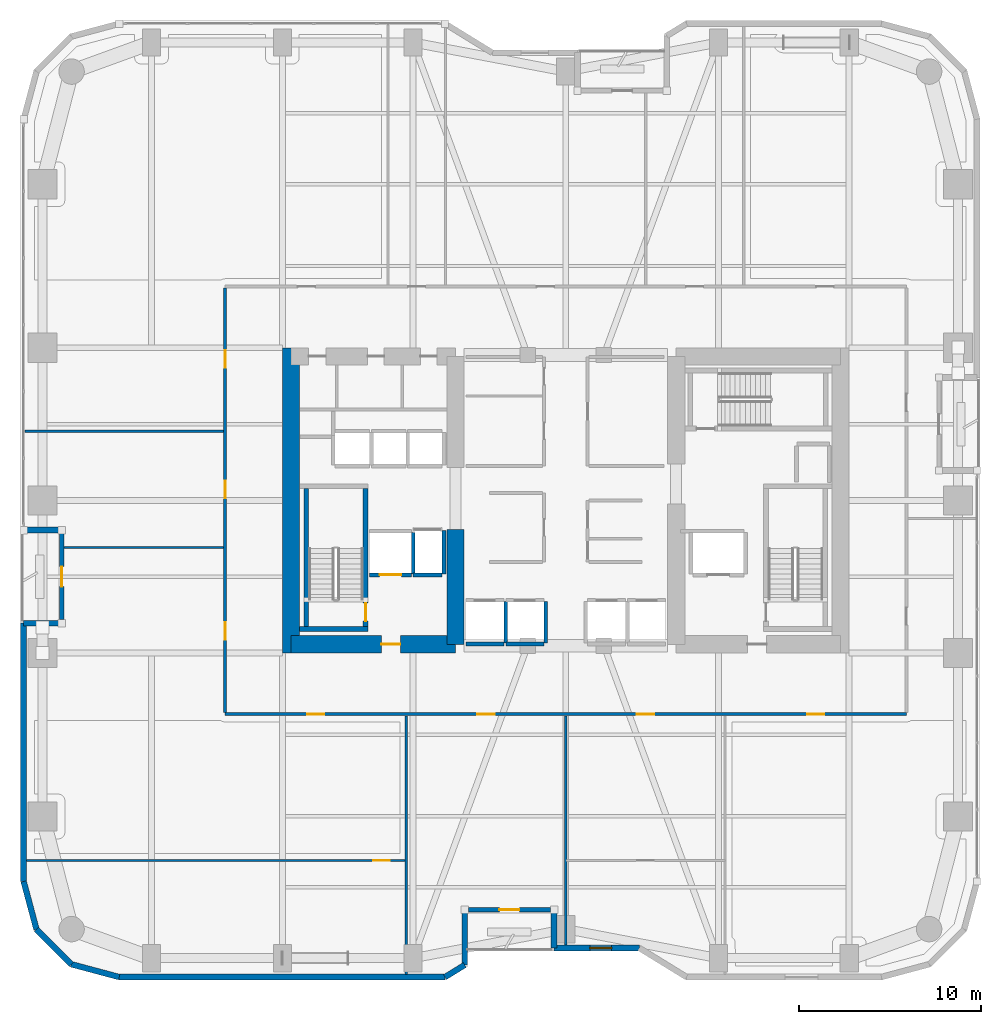
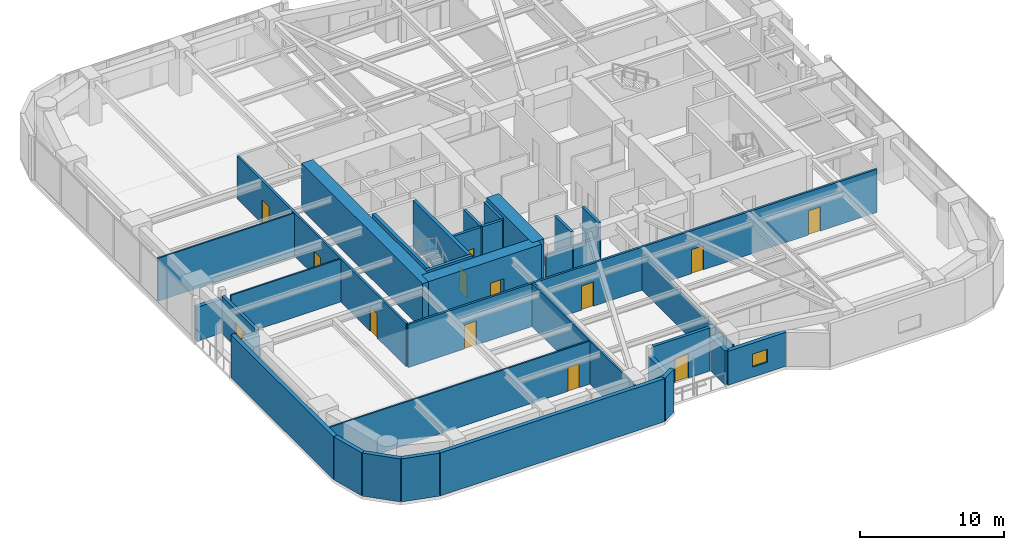
# One storey, part 18 of 24: 34 walls, 13 doors, 1 window, 14 openings.
"""IFC4 building model written with IfcOpenShell, lengths in metres."""

from ifc_helpers import new_model, si_unit, direction, frame, frame_2d, origin, place, context, subcontext, project, spatial, rectangle, extrude, material, layer, layer_set, type_object, element, fill, save


model = new_model("IFC4")

# Units and contexts
model_context = context("Model", 3, precision=1e-05, world=origin(), true_north=direction((0.0, 1.0)))
body_context = subcontext(model_context, "Body", "Model", "MODEL_VIEW")
ifc_project = project(units=[si_unit("LENGTHUNIT", "METRE"), si_unit("AREAUNIT", "SQUARE_METRE"), si_unit("VOLUMEUNIT", "CUBIC_METRE"), si_unit("PLANEANGLEUNIT", "RADIAN"), si_unit("MASSUNIT", "GRAM", prefix="KILO")], contexts=[model_context])

# Site, building, storey
site_placement = place(None, origin())
site = spatial("IfcSite", under=ifc_project, at=site_placement, CompositionType="ELEMENT")
building_placement = place(site_placement, origin())
building = spatial("IfcBuilding", under=site, at=building_placement, Name="Kiyonajd Concourse Tower", CompositionType="ELEMENT")
storey_placement = place(building_placement, frame((0.0, 0.0, 89.699951171875)))
storey = spatial("IfcBuildingStorey", under=building, at=storey_placement, Name="L23", CompositionType="ELEMENT", Elevation=89.699951171875)

# Walls
ifc_material_1 = material(Name="Concrete C80/95", Category="concrete")
ifc_layer_1 = layer(ifc_material_1, 0.949951171875)
ifc_layer_set_1 = layer_set([ifc_layer_1], Name="Concrete C80/95")
wall_type_1 = type_object("IfcWallType", Name="WL-CORE-950", PredefinedType="SHEAR", material=ifc_layer_set_1)
wall_1_placement = place(storey_placement, frame((32.875, 27.60009765625, 0.0), z_axis=(0.0, 0.0, 1.0), x_axis=(0.0, 1.0, 0.0)))
element("IfcWall", 1, at=wall_1_placement, inside=storey, type_object=wall_type_1, Name="L23 West Core Outer Shear Wall", PredefinedType="SHEAR", context=body_context, shape_type="SweptSolid", body=[
    extrude(rectangle(XDim=16.7998046875, YDim=0.949951171875, at=frame_2d((8.39990234375, 0.0))), origin(), (0.0, 0.0, 1.0), 3.900146484375),
])
wall_2_placement = place(storey_placement, frame((41.925048828125, 28.074951171875, 0.0), z_axis=(0.0, 0.0, 1.0), x_axis=(0.0, 1.0, 0.0)))
element("IfcWall", 2, at=wall_2_placement, inside=storey, type_object=wall_type_1, Name="L23 West Core Inner South Shear Wall", PredefinedType="SHEAR", context=body_context, shape_type="SweptSolid", body=[
    extrude(rectangle(XDim=6.324951171875, YDim=0.949951171875, at=frame_2d((3.16259765625, 0.0))), origin(), (0.0, 0.0, 1.0), 3.900146484375),
])

# Wall, opening, door
wall_3_placement = place(storey_placement, frame((32.875, 28.074951171875, 0.0), z_axis=(0.0, 0.0, 1.0), x_axis=(1.0, 0.0, 0.0)))
wall_3 = element("IfcWall", 3, at=wall_3_placement, inside=storey, type_object=wall_type_1, Name="L23 West Core South Shear Wall", PredefinedType="SHEAR", context=body_context, shape_type="SweptSolid", body=[
    extrude(rectangle(XDim=9.050048828125, YDim=0.949951171875, at=frame_2d((4.52490234375, 0.0))), origin(), (0.0, 0.0, 1.0), 3.900146484375),
])
opening_1_placement = place(wall_3_placement, frame((4.97509765625, 0.0, 0.0)))
opening_1 = element("IfcOpeningElement", 4, at=opening_1_placement, cuts=wall_3, Name="Opening DF5", PredefinedType="OPENING", context=body_context, shape_type="SweptSolid", body=[
    extrude(rectangle(XDim=1.050048828125, YDim=2.0400390625, at=frame_2d((0.52490234375, 1.02001953125))), frame((0.0, 0.48486328125, 0.0), z_axis=(0.0, -1.0, 0.0), x_axis=(1.0, 0.0, 0.0)), (0.0, 0.0, 1.0), 0.969970703125),
])
ifc_material_2 = material(Name="Brushed Stainless Steel Cab Assembly", Category="steel")
door_type_1 = type_object("IfcDoorType", Name="DR-FD45-1050", OperationType="NOTDEFINED", PredefinedType="DOOR", material=ifc_material_2)
door_1_placement = place(opening_1_placement, origin())
door_1 = element("IfcDoor", 5, at=door_1_placement, inside=storey, type_object=door_type_1, Name="L23 Firefighting Lift Lobby W Smoke Door", OperationType="SINGLE_SWING_LEFT", OverallHeight=2.0400390625, OverallWidth=1.050048828125, PredefinedType="DOOR", context=body_context, shape_type="SweptSolid", body=[
    extrude(rectangle(XDim=1.050048828125, YDim=2.0400390625, at=frame_2d((0.52490234375, 1.02001953125))), frame((0.0, 0.02490234375, 0.0), z_axis=(0.0, -1.0, 0.0), x_axis=(1.0, 0.0, 0.0)), (0.0, 0.0, 1.0), 0.050048828125),
])
fill(opening_1, door_1)

# Walls
ifc_material_3 = material(Name="Precast concrete C50/60", Category="concrete")
ifc_layer_2 = layer(ifc_material_3, 0.320068359375)
ifc_layer_set_2 = layer_set([ifc_layer_2], Name="Precast concrete C50/60")
wall_type_2 = type_object("IfcWallType", Name="WL-EXT-320", PredefinedType="SOLIDWALL", material=ifc_layer_set_2)
wall_4_placement = place(storey_placement, frame((18.866455078125, 12.3828125, 0.0), z_axis=(0.0, 0.0, 1.0), x_axis=(-0.25869736047, 0.965958423373, 0.0)))
element("IfcWall", 6, at=wall_4_placement, inside=storey, type_object=wall_type_2, Name="L23 Exterior Concrete Frame Wall 00", PredefinedType="SOLIDWALL", context=body_context, shape_type="SweptSolid", body=[
    extrude(rectangle(XDim=2.731201171875, YDim=0.320068359375, at=frame_2d((1.36572265625, 0.0))), origin(), (0.0, 0.0, 1.0), 3.64013671875),
])
wall_5_placement = place(storey_placement, frame((18.159912109375, 15.02099609375, 0.0), z_axis=(0.0, 0.0, 1.0), x_axis=(0.0, 1.0, 0.0)))
element("IfcWall", 7, at=wall_5_placement, inside=storey, type_object=wall_type_2, Name="L23 Exterior Concrete Frame Wall 01", PredefinedType="SOLIDWALL", context=body_context, shape_type="SweptSolid", body=[
    extrude(rectangle(XDim=14.218994140625, YDim=0.320068359375, at=frame_2d((7.109375, 0.0))), origin(), (0.0, 0.0, 1.0), 3.64013671875),
])
for number, where, z_axis, x_axis, name in (
    (8, (18.159912109375, 29.239990234375, 0.0), (0.0, 0.0, 1.0), (1.0, 0.0, 0.0), "L23 Exterior Concrete Frame Wall 02"),
    (9, (20.260009765625, 34.360107421875, 0.0), (0.0, 0.0, 1.0), (-1.0, 0.0, 0.0), "L23 Exterior Concrete Frame Wall 04"),
):
    element("IfcWall", number, at=place(storey_placement, frame(where, z_axis=z_axis, x_axis=x_axis)), inside=storey, type_object=wall_type_2, Name=name, PredefinedType="SOLIDWALL", context=body_context, shape_type="SweptSolid", body=[
        extrude(rectangle(XDim=2.10009765625, YDim=0.320068359375, at=frame_2d((1.050048828125, 0.0))), origin(), (0.0, 0.0, 1.0), 2.875),
    ])

# Wall, opening, window
wall_6_placement = place(storey_placement, frame((52.04541015625, 11.360107421875, 0.0), z_axis=(0.0, 0.0, 1.0), x_axis=(-1.0, 0.0, 0.0)))
wall_6 = element("IfcWall", 10, at=wall_6_placement, inside=storey, type_object=wall_type_2, Name="L23 Exterior Concrete Frame Wall 30", PredefinedType="SOLIDWALL", context=body_context, shape_type="SweptSolid", body=[
    extrude(rectangle(XDim=4.685302734375, YDim=0.320068359375, at=frame_2d((2.3427734375, 0.0))), origin(), (0.0, 0.0, 1.0), 2.875),
])
opening_2_placement = place(wall_6_placement, frame((1.51806640625, 0.0, 0.85009765625)))
opening_2 = element("IfcOpeningElement", 11, at=opening_2_placement, cuts=wall_6, Name="Opening WN3", PredefinedType="OPENING", context=body_context, shape_type="SweptSolid", body=[
    extrude(rectangle(XDim=1.199951171875, YDim=1.10009765625, at=frame_2d((0.60009765625, 0.550048828125))), frame((0.0, 0.169921875, 0.0), z_axis=(0.0, -1.0, 0.0), x_axis=(1.0, 0.0, 0.0)), (0.0, 0.0, 1.0), 0.340087890625),
])
ifc_material_4 = material(Name="Double Low-E Insulated Glass", Category="glass")
window_type = type_object("IfcWindowType", Name="WN-VIS-1200x1100", PartitioningType="SINGLE_PANEL", PredefinedType="WINDOW", material=ifc_material_4)
window_placement = place(opening_2_placement, origin())
window = element("IfcWindow", 12, at=window_placement, inside=storey, type_object=window_type, Name="L23 Modular Facade Vision Window 30", OverallHeight=1.10009765625, OverallWidth=1.199951171875, PartitioningType="SINGLE_PANEL", PredefinedType="WINDOW", context=body_context, shape_type="SweptSolid", body=[
    extrude(rectangle(XDim=1.199951171875, YDim=1.10009765625, at=frame_2d((0.60009765625, 0.550048828125))), frame((0.0, 0.030029296875, 0.0), z_axis=(0.0, -1.0, 0.0), x_axis=(1.0, 0.0, 0.0)), (0.0, 0.0, 1.0), 0.06005859375),
])
fill(opening_2, window)

# Walls
wall_7_placement = place(storey_placement, frame((47.360107421875, 11.360107421875, 0.0), z_axis=(0.0, 0.0, 1.0), x_axis=(0.0, 1.0, 0.0)))
element("IfcWall", 13, at=wall_7_placement, inside=storey, type_object=wall_type_2, Name="L23 Exterior Concrete Frame Wall 31", PredefinedType="SOLIDWALL", context=body_context, shape_type="SweptSolid", body=[
    extrude(rectangle(XDim=2.099853515625, YDim=0.320068359375, at=frame_2d((1.0498046875, 0.0))), origin(), (0.0, 0.0, 1.0), 2.875),
])
wall_8_placement = place(storey_placement, frame((42.43994140625, 13.4599609375, 0.0), z_axis=(0.0, 0.0, 1.0), x_axis=(0.0, -1.0, 0.0)))
element("IfcWall", 14, at=wall_8_placement, inside=storey, type_object=wall_type_2, Name="L23 Exterior Concrete Frame Wall 33", PredefinedType="SOLIDWALL", context=body_context, shape_type="SweptSolid", body=[
    extrude(rectangle(XDim=3.032470703125, YDim=0.320068359375, at=frame_2d((1.51611328125, 0.0))), origin(), (0.0, 0.0, 1.0), 2.875),
])
wall_9_placement = place(storey_placement, frame((42.43994140625, 10.427490234375, 0.0), z_axis=(0.0, 0.0, 1.0), x_axis=(-0.851776724646, -0.523904964045, 0.0)))
element("IfcWall", 15, at=wall_9_placement, inside=storey, type_object=wall_type_2, Name="L23 Exterior Concrete Frame Wall 34", PredefinedType="SOLIDWALL", context=body_context, shape_type="SweptSolid", body=[
    extrude(rectangle(XDim=1.274169921875, YDim=0.320068359375, at=frame_2d((0.63720703125, 0.0))), origin(), (0.0, 0.0, 1.0), 3.64013671875),
])
wall_10_placement = place(storey_placement, frame((41.354736328125, 9.760009765625, 0.0), z_axis=(0.0, 0.0, 1.0), x_axis=(-1.0, 0.0, 0.0)))
element("IfcWall", 16, at=wall_10_placement, inside=storey, type_object=wall_type_2, Name="L23 Exterior Concrete Frame Wall 35", PredefinedType="SOLIDWALL", context=body_context, shape_type="SweptSolid", body=[
    extrude(rectangle(XDim=17.93359375, YDim=0.320068359375, at=frame_2d((8.966796875, 0.0))), origin(), (0.0, 0.0, 1.0), 3.64013671875),
])
wall_11_placement = place(storey_placement, frame((23.421142578125, 9.760009765625, 0.0), z_axis=(0.0, 0.0, 1.0), x_axis=(-0.965964405026, 0.25867502435, 0.0)))
element("IfcWall", 17, at=wall_11_placement, inside=storey, type_object=wall_type_2, Name="L23 Exterior Concrete Frame Wall 36", PredefinedType="SOLIDWALL", context=body_context, shape_type="SweptSolid", body=[
    extrude(rectangle(XDim=2.7314453125, YDim=0.320068359375, at=frame_2d((1.36572265625, 0.0))), origin(), (0.0, 0.0, 1.0), 3.64013671875),
])
wall_12_placement = place(storey_placement, frame((20.78271484375, 10.466552734375, 0.0), z_axis=(0.0, 0.0, 1.0), x_axis=(-0.707106781187, 0.707106781187, 0.0)))
element("IfcWall", 18, at=wall_12_placement, inside=storey, type_object=wall_type_2, Name="L23 Exterior Concrete Frame Wall 37", PredefinedType="SOLIDWALL", context=body_context, shape_type="SweptSolid", body=[
    extrude(rectangle(XDim=2.7099609375, YDim=0.320068359375, at=frame_2d((1.35498046875, 0.0))), origin(), (0.0, 0.0, 1.0), 3.64013671875),
])

# Wall, opening, door
ifc_layer_3 = layer(ifc_material_3, 0.239990234375)
ifc_layer_set_3 = layer_set([ifc_layer_3], Name="Precast concrete C50/60")
wall_type_3 = type_object("IfcWallType", Name="WL-LOG-240", PredefinedType="SOLIDWALL", material=ifc_layer_set_3)
wall_13_placement = place(storey_placement, frame((20.260009765625, 29.43505859375, 0.0), z_axis=(0.0, 0.0, 1.0), x_axis=(0.0, 1.0, 0.0)))
wall_13 = element("IfcWall", 19, at=wall_13_placement, inside=storey, type_object=wall_type_3, Name="L23 Recessed Loggia Thermal Wall LOG-W", PredefinedType="SOLIDWALL", context=body_context, shape_type="SweptSolid", body=[
    extrude(rectangle(XDim=4.72998046875, YDim=0.239990234375, at=frame_2d((2.364990234375, 0.0))), origin(), (0.0, 0.0, 1.0), 3.162109375),
])
opening_3_placement = place(wall_13_placement, frame((1.81494140625, 0.0, 0.0)))
opening_3 = element("IfcOpeningElement", 20, at=opening_3_placement, cuts=wall_13, Name="Opening DL2", PredefinedType="OPENING", context=body_context, shape_type="SweptSolid", body=[
    extrude(rectangle(XDim=1.10009765625, YDim=2.0400390625, at=frame_2d((0.550048828125, 1.02001953125))), frame((0.0, 0.1298828125, 0.0), z_axis=(0.0, -1.0, 0.0), x_axis=(1.0, 0.0, 0.0)), (0.0, 0.0, 1.0), 0.260009765625),
])
ifc_material_5 = material(Name="Thermally Broken Anodised Aluminium", Category="aluminium")
door_type_2 = type_object("IfcDoorType", Name="DR-LOG-1100", OperationType="NOTDEFINED", PredefinedType="DOOR", material=ifc_material_5)
door_2_placement = place(opening_3_placement, origin())
door_2 = element("IfcDoor", 21, at=door_2_placement, inside=storey, type_object=door_type_2, Name="L23 Engawa Loggia Access Door LOG-W", OperationType="SINGLE_SWING_LEFT", OverallHeight=2.0400390625, OverallWidth=1.10009765625, PredefinedType="DOOR", context=body_context, shape_type="SweptSolid", body=[
    extrude(rectangle(XDim=1.10009765625, YDim=2.0400390625, at=frame_2d((0.550048828125, 1.02001953125))), frame((0.0, 0.02490234375, 0.0), z_axis=(0.0, -1.0, 0.0), x_axis=(1.0, 0.0, 0.0)), (0.0, 0.0, 1.0), 0.050048828125),
])
fill(opening_3, door_2)

wall_14_placement = place(storey_placement, frame((47.1650390625, 13.4599609375, 0.0), z_axis=(0.0, 0.0, 1.0), x_axis=(-1.0, 0.0, 0.0)))
wall_14 = element("IfcWall", 22, at=wall_14_placement, inside=storey, type_object=wall_type_3, Name="L23 Recessed Loggia Thermal Wall LOG-S", PredefinedType="SOLIDWALL", context=body_context, shape_type="SweptSolid", body=[
    extrude(rectangle(XDim=4.530029296875, YDim=0.239990234375, at=frame_2d((2.26513671875, 0.0))), origin(), (0.0, 0.0, 1.0), 3.64013671875),
])
opening_4_placement = place(wall_14_placement, frame((1.715087890625, 0.0, 0.0)))
opening_4 = element("IfcOpeningElement", 23, at=opening_4_placement, cuts=wall_14, Name="Opening DL2", PredefinedType="OPENING", context=body_context, shape_type="SweptSolid", body=[
    extrude(rectangle(XDim=1.10009765625, YDim=2.0400390625, at=frame_2d((0.550048828125, 1.02001953125))), frame((0.0, 0.1298828125, 0.0), z_axis=(0.0, -1.0, 0.0), x_axis=(1.0, 0.0, 0.0)), (0.0, 0.0, 1.0), 0.260009765625),
])
door_3_placement = place(opening_4_placement, origin())
door_3 = element("IfcDoor", 24, at=door_3_placement, inside=storey, type_object=door_type_2, Name="L23 Engawa Loggia Access Door LOG-S", OperationType="SINGLE_SWING_RIGHT", OverallHeight=2.0400390625, OverallWidth=1.10009765625, PredefinedType="DOOR", context=body_context, shape_type="SweptSolid", body=[
    extrude(rectangle(XDim=1.10009765625, YDim=2.0400390625, at=frame_2d((0.550048828125, 1.02001953125))), frame((0.0, 0.02490234375, 0.0), z_axis=(0.0, -1.0, 0.0), x_axis=(1.0, 0.0, 0.0)), (0.0, 0.0, 1.0), 0.050048828125),
])
fill(opening_4, door_3)

ifc_material_6 = material(Name="Gypsum Board on Cold-Formed Steel Stud", Category="steel")
ifc_layer_4 = layer(ifc_material_6, 0.125)
ifc_layer_set_4 = layer_set([ifc_layer_4], Name="Gypsum Board on Cold-Formed Steel Stud")
wall_type_4 = type_object("IfcWallType", Name="WL-PART-125", PredefinedType="PARTITIONING", material=ifc_layer_set_4)
wall_15_placement = place(storey_placement, frame((18.31494140625, 16.179931640625, 0.0), z_axis=(0.0, 0.0, 1.0), x_axis=(1.0, 0.0, 0.0)))
wall_15 = element("IfcWall", 25, at=wall_15_placement, inside=storey, type_object=wall_type_4, Name="L23 Interior Partition Wall", PredefinedType="PARTITIONING", context=body_context, shape_type="SweptSolid", body=[
    extrude(rectangle(XDim=20.905029296875, YDim=0.125, at=frame_2d((10.45263671875, 0.0))), origin(), (0.0, 0.0, 1.0), 3.64013671875),
])
opening_5_placement = place(wall_15_placement, frame((19.0849609375, 0.0, 0.0)))
opening_5 = element("IfcOpeningElement", 26, at=opening_5_placement, cuts=wall_15, Name="Opening DI2", PredefinedType="OPENING", context=body_context, shape_type="SweptSolid", body=[
    extrude(rectangle(XDim=0.89990234375, YDim=2.02001953125, at=frame_2d((0.449951171875, 1.010009765625))), frame((0.0, 0.072509765625, 0.0), z_axis=(0.0, -1.0, 0.0), x_axis=(1.0, 0.0, 0.0)), (0.0, 0.0, 1.0), 0.14501953125),
])
ifc_material_7 = material(Name="Natural Oak Acoustic Timber Veneer", Category="wood")
door_type_3 = type_object("IfcDoorType", Name="DR-INT-900", OperationType="NOTDEFINED", PredefinedType="DOOR", material=ifc_material_7)
door_4_placement = place(opening_5_placement, origin())
door_4 = element("IfcDoor", 27, at=door_4_placement, inside=storey, type_object=door_type_3, Name="L23 Interior Door", OperationType="SINGLE_SWING_RIGHT", OverallHeight=2.02001953125, OverallWidth=0.89990234375, PredefinedType="DOOR", context=body_context, shape_type="SweptSolid", body=[
    extrude(rectangle(XDim=0.89990234375, YDim=2.02001953125, at=frame_2d((0.449951171875, 1.010009765625))), frame((0.0, 0.02490234375, 0.0), z_axis=(0.0, -1.0, 0.0), x_axis=(1.0, 0.0, 0.0)), (0.0, 0.0, 1.0), 0.050048828125),
])
fill(opening_5, door_4)

# Walls
wall_16_placement = place(storey_placement, frame((39.219970703125, 9.9150390625, 0.0), z_axis=(0.0, 0.0, 1.0), x_axis=(0.0, 1.0, 0.0)))
element("IfcWall", 28, at=wall_16_placement, inside=storey, type_object=wall_type_4, Name="L23 Interior Partition Wall", PredefinedType="PARTITIONING", context=body_context, shape_type="SweptSolid", body=[
    extrude(rectangle(XDim=14.22802734375, YDim=0.125, at=frame_2d((7.114013671875, 0.0))), origin(), (0.0, 0.0, 1.0), 3.64013671875),
])
wall_17_placement = place(storey_placement, frame((48.0, 11.514892578125, 0.0), z_axis=(0.0, 0.0, 1.0), x_axis=(0.0, 1.0, 0.0)))
element("IfcWall", 29, at=wall_17_placement, inside=storey, type_object=wall_type_4, Name="L23 Interior Partition Wall", PredefinedType="PARTITIONING", context=body_context, shape_type="SweptSolid", body=[
    extrude(rectangle(XDim=12.628173828125, YDim=0.125, at=frame_2d((6.31396484375, 0.0))), origin(), (0.0, 0.0, 1.0), 3.0029296875),
])
wall_18_placement = place(storey_placement, frame((20.375, 33.39990234375, 0.0), z_axis=(0.0, 0.0, 1.0), x_axis=(1.0, 0.0, 0.0)))
element("IfcWall", 30, at=wall_18_placement, inside=storey, type_object=wall_type_4, Name="L23 Interior Partition Wall", PredefinedType="PARTITIONING", context=body_context, shape_type="SweptSolid", body=[
    extrude(rectangle(XDim=8.7880859375, YDim=0.125, at=frame_2d((4.39404296875, 0.0))), origin(), (0.0, 0.0, 1.0), 3.64013671875),
])
wall_19_placement = place(storey_placement, frame((18.2451171875, 39.800048828125, 0.0), z_axis=(0.0, 0.0, 1.0), x_axis=(1.0, 0.0, 0.0)))
element("IfcWall", 31, at=wall_19_placement, inside=storey, type_object=wall_type_4, Name="L23 Interior Partition Wall", PredefinedType="PARTITIONING", context=body_context, shape_type="SweptSolid", body=[
    extrude(rectangle(XDim=10.91796875, YDim=0.125, at=frame_2d((5.458984375, 0.0))), origin(), (0.0, 0.0, 1.0), 3.64013671875),
])

# Wall, opening, door
ifc_layer_5 = layer(ifc_material_6, 0.2099609375)
ifc_layer_set_5 = layer_set([ifc_layer_5], Name="Gypsum Board on Cold-Formed Steel Stud")
wall_type_5 = type_object("IfcWallType", Name="WL-SHAFT-210", PredefinedType="PARTITIONING", material=ifc_layer_set_5)
wall_20_placement = place(storey_placement, frame((37.199951171875, 31.89990234375, 0.0), z_axis=(0.0, 0.0, 1.0), x_axis=(1.0, 0.0, 0.0)))
wall_20 = element("IfcWall", 32, at=wall_20_placement, inside=storey, type_object=wall_type_5, Name="L23 Shaft Enclosure Wall", PredefinedType="PARTITIONING", context=body_context, shape_type="SweptSolid", body=[
    extrude(rectangle(XDim=2.300048828125, YDim=0.2099609375, at=frame_2d((1.14990234375, 0.0))), origin(), (0.0, 0.0, 1.0), 3.64013671875),
])
opening_6_placement = place(wall_20_placement, frame((0.550048828125, 0.0, 0.0)))
opening_6 = element("IfcOpeningElement", 33, at=opening_6_placement, cuts=wall_20, Name="Opening LD2", PredefinedType="OPENING", context=body_context, shape_type="SweptSolid", body=[
    extrude(rectangle(XDim=1.199951171875, YDim=2.0400390625, at=frame_2d((0.60009765625, 1.02001953125))), frame((0.0, 0.114990234375, 0.0), z_axis=(0.0, -1.0, 0.0), x_axis=(1.0, 0.0, 0.0)), (0.0, 0.0, 1.0), 0.22998046875),
])
door_type_4 = type_object("IfcDoorType", Name="DR-LD-1200", OperationType="DOUBLE_DOOR_SLIDING", PredefinedType="DOOR", material=ifc_material_2)
door_5_placement = place(opening_6_placement, origin())
door_5 = element("IfcDoor", 34, at=door_5_placement, inside=storey, type_object=door_type_4, Name="L23 Lift FFL1 Sliding Landing Door", OperationType="DOUBLE_DOOR_SLIDING", OverallHeight=2.0400390625, OverallWidth=1.199951171875, PredefinedType="DOOR", context=body_context, shape_type="SweptSolid", body=[
    extrude(rectangle(XDim=1.199951171875, YDim=2.0400390625, at=frame_2d((0.60009765625, 1.02001953125))), frame((0.0, 0.02490234375, 0.0), z_axis=(0.0, -1.0, 0.0), x_axis=(1.0, 0.0, 0.0)), (0.0, 0.0, 1.0), 0.050048828125),
])
fill(opening_6, door_5)

# Walls
wall_21_placement = place(storey_placement, frame((39.60009765625, 31.9599609375, 0.0), z_axis=(0.0, 0.0, 1.0), x_axis=(0.0, 1.0, 0.0)))
element("IfcWall", 35, at=wall_21_placement, inside=storey, type_object=wall_type_5, Name="L23 Shaft Enclosure Wall", PredefinedType="PARTITIONING", context=body_context, shape_type="SweptSolid", body=[
    extrude(rectangle(XDim=2.280029296875, YDim=0.2099609375, at=frame_2d((1.14013671875, 0.0))), origin(), (0.0, 0.0, 1.0), 3.64013671875),
])
wall_22_placement = place(storey_placement, frame((39.60009765625, 31.89990234375, 0.0), z_axis=(0.0, 0.0, 1.0), x_axis=(1.0, 0.0, 0.0)))
element("IfcWall", 36, at=wall_22_placement, inside=storey, type_object=wall_type_5, Name="L23 Shaft Enclosure Wall", PredefinedType="PARTITIONING", context=body_context, shape_type="SweptSolid", body=[
    extrude(rectangle(XDim=1.599853515625, YDim=0.2099609375, at=frame_2d((0.7998046875, 0.0))), origin(), (0.0, 0.0, 1.0), 3.64013671875),
])
wall_23_placement = place(storey_placement, frame((41.300048828125, 31.9599609375, 0.0), z_axis=(0.0, 0.0, 1.0), x_axis=(0.0, 1.0, 0.0)))
element("IfcWall", 37, at=wall_23_placement, inside=storey, type_object=wall_type_5, Name="L23 Shaft Enclosure Wall", PredefinedType="PARTITIONING", context=body_context, shape_type="SweptSolid", body=[
    extrude(rectangle(XDim=2.380126953125, YDim=0.2099609375, at=frame_2d((1.18994140625, 0.0))), origin(), (0.0, 0.0, 1.0), 3.64013671875),
])
wall_24_placement = place(storey_placement, frame((42.5, 28.10009765625, 0.0), z_axis=(0.0, 0.0, 1.0), x_axis=(1.0, 0.0, 0.0)))
element("IfcWall", 38, at=wall_24_placement, inside=storey, type_object=wall_type_5, Name="L23 Shaft Enclosure Wall", PredefinedType="PARTITIONING", context=body_context, shape_type="SweptSolid", body=[
    extrude(rectangle(XDim=2.10009765625, YDim=0.2099609375, at=frame_2d((1.050048828125, 0.0))), origin(), (0.0, 0.0, 1.0), 2.525146484375),
])
wall_25_placement = place(storey_placement, frame((44.699951171875, 28.159912109375, 0.0), z_axis=(0.0, 0.0, 1.0), x_axis=(0.0, 1.0, 0.0)))
element("IfcWall", 39, at=wall_25_placement, inside=storey, type_object=wall_type_5, Name="L23 Shaft Enclosure Wall", PredefinedType="PARTITIONING", context=body_context, shape_type="SweptSolid", body=[
    extrude(rectangle(XDim=2.280029296875, YDim=0.2099609375, at=frame_2d((1.14013671875, 0.0))), origin(), (0.0, 0.0, 1.0), 3.64013671875),
])
wall_26_placement = place(storey_placement, frame((44.699951171875, 28.10009765625, 0.0), z_axis=(0.0, 0.0, 1.0), x_axis=(1.0, 0.0, 0.0)))
element("IfcWall", 40, at=wall_26_placement, inside=storey, type_object=wall_type_5, Name="L23 Shaft Enclosure Wall", PredefinedType="PARTITIONING", context=body_context, shape_type="SweptSolid", body=[
    extrude(rectangle(XDim=2.10009765625, YDim=0.2099609375, at=frame_2d((1.050048828125, 0.0))), origin(), (0.0, 0.0, 1.0), 2.525146484375),
])
wall_27_placement = place(storey_placement, frame((46.89990234375, 28.159912109375, 0.0), z_axis=(0.0, 0.0, 1.0), x_axis=(0.0, 1.0, 0.0)))
element("IfcWall", 41, at=wall_27_placement, inside=storey, type_object=wall_type_5, Name="L23 Shaft Enclosure Wall", PredefinedType="PARTITIONING", context=body_context, shape_type="SweptSolid", body=[
    extrude(rectangle(XDim=2.280029296875, YDim=0.2099609375, at=frame_2d((1.14013671875, 0.0))), origin(), (0.0, 0.0, 1.0), 3.64013671875),
])

# Wall, openings, doors
ifc_layer_6 = layer(ifc_material_6, 0.169921875)
ifc_layer_set_6 = layer_set([ifc_layer_6], Name="Gypsum Board on Cold-Formed Steel Stud")
wall_type_6 = type_object("IfcWallType", Name="WL-SMK-170", PredefinedType="PARTITIONING", material=ifc_layer_set_6)
wall_28_placement = place(storey_placement, frame((29.25, 24.22998046875, 0.0), z_axis=(0.0, 0.0, 1.0), x_axis=(1.0, 0.0, 0.0)))
wall_28 = element("IfcWall", 42, at=wall_28_placement, inside=storey, type_object=wall_type_6, Name="L23 Interior Partition Wall", PredefinedType="PARTITIONING", context=body_context, shape_type="SweptSolid", body=[
    extrude(rectangle(XDim=37.5, YDim=0.169921875, at=frame_2d((18.75, 0.0))), origin(), (0.0, 0.0, 1.0), 3.64013671875),
])
opening_7_placement = place(wall_28_placement, frame((4.510009765625, 0.0, 0.0)))
opening_7 = element("IfcOpeningElement", 43, at=opening_7_placement, cuts=wall_28, Name="Opening DI1", PredefinedType="OPENING", context=body_context, shape_type="SweptSolid", body=[
    extrude(rectangle(XDim=0.949951171875, YDim=2.0400390625, at=frame_2d((0.47509765625, 1.02001953125))), frame((0.0, 0.094970703125, 0.0), z_axis=(0.0, -1.0, 0.0), x_axis=(1.0, 0.0, 0.0)), (0.0, 0.0, 1.0), 0.18994140625),
])
opening_8_placement = place(wall_28_placement, frame((13.885009765625, 0.0, 0.0)))
opening_8 = element("IfcOpeningElement", 44, at=opening_8_placement, cuts=wall_28, Name="Opening DI1", PredefinedType="OPENING", context=body_context, shape_type="SweptSolid", body=[
    extrude(rectangle(XDim=0.949951171875, YDim=2.0400390625, at=frame_2d((0.47509765625, 1.02001953125))), frame((0.0, 0.094970703125, 0.0), z_axis=(0.0, -1.0, 0.0), x_axis=(1.0, 0.0, 0.0)), (0.0, 0.0, 1.0), 0.18994140625),
])
opening_9_placement = place(wall_28_placement, frame((22.659912109375, 0.0, 0.0)))
opening_9 = element("IfcOpeningElement", 45, at=opening_9_placement, cuts=wall_28, Name="Opening DI1", PredefinedType="OPENING", context=body_context, shape_type="SweptSolid", body=[
    extrude(rectangle(XDim=0.949951171875, YDim=2.0400390625, at=frame_2d((0.47509765625, 1.02001953125))), frame((0.0, 0.094970703125, 0.0), z_axis=(0.0, -1.0, 0.0), x_axis=(1.0, 0.0, 0.0)), (0.0, 0.0, 1.0), 0.18994140625),
])
opening_10_placement = place(wall_28_placement, frame((32.034912109375, 0.0, 0.0)))
opening_10 = element("IfcOpeningElement", 46, at=opening_10_placement, cuts=wall_28, Name="Opening DI1", PredefinedType="OPENING", context=body_context, shape_type="SweptSolid", body=[
    extrude(rectangle(XDim=0.949951171875, YDim=2.0400390625, at=frame_2d((0.47509765625, 1.02001953125))), frame((0.0, 0.094970703125, 0.0), z_axis=(0.0, -1.0, 0.0), x_axis=(1.0, 0.0, 0.0)), (0.0, 0.0, 1.0), 0.18994140625),
])
door_type_5 = type_object("IfcDoorType", Name="DR-INT-950", OperationType="NOTDEFINED", PredefinedType="DOOR", material=ifc_material_7)
door_6_placement = place(opening_7_placement, origin())
door_6 = element("IfcDoor", 47, at=door_6_placement, inside=storey, type_object=door_type_5, Name="L23 Interior Door", OperationType="SINGLE_SWING_LEFT", OverallHeight=2.0400390625, OverallWidth=0.949951171875, PredefinedType="DOOR", context=body_context, shape_type="SweptSolid", body=[
    extrude(rectangle(XDim=0.949951171875, YDim=2.0400390625, at=frame_2d((0.47509765625, 1.02001953125))), frame((0.0, 0.02490234375, 0.0), z_axis=(0.0, -1.0, 0.0), x_axis=(1.0, 0.0, 0.0)), (0.0, 0.0, 1.0), 0.050048828125),
])
fill(opening_7, door_6)
door_7_placement = place(opening_8_placement, origin())
door_7 = element("IfcDoor", 48, at=door_7_placement, inside=storey, type_object=door_type_5, Name="L23 Interior Door", OperationType="SINGLE_SWING_RIGHT", OverallHeight=2.0400390625, OverallWidth=0.949951171875, PredefinedType="DOOR", context=body_context, shape_type="SweptSolid", body=[
    extrude(rectangle(XDim=0.949951171875, YDim=2.0400390625, at=frame_2d((0.47509765625, 1.02001953125))), frame((0.0, 0.02490234375, 0.0), z_axis=(0.0, -1.0, 0.0), x_axis=(1.0, 0.0, 0.0)), (0.0, 0.0, 1.0), 0.050048828125),
])
fill(opening_8, door_7)
door_8_placement = place(opening_9_placement, origin())
door_8 = element("IfcDoor", 49, at=door_8_placement, inside=storey, type_object=door_type_5, Name="L23 Interior Door", OperationType="SINGLE_SWING_RIGHT", OverallHeight=2.0400390625, OverallWidth=0.949951171875, PredefinedType="DOOR", context=body_context, shape_type="SweptSolid", body=[
    extrude(rectangle(XDim=0.949951171875, YDim=2.0400390625, at=frame_2d((0.47509765625, 1.02001953125))), frame((0.0, 0.02490234375, 0.0), z_axis=(0.0, -1.0, 0.0), x_axis=(1.0, 0.0, 0.0)), (0.0, 0.0, 1.0), 0.050048828125),
])
fill(opening_9, door_8)
door_9_placement = place(opening_10_placement, origin())
door_9 = element("IfcDoor", 50, at=door_9_placement, inside=storey, type_object=door_type_5, Name="L23 Interior Door", OperationType="SINGLE_SWING_LEFT", OverallHeight=2.0400390625, OverallWidth=0.949951171875, PredefinedType="DOOR", context=body_context, shape_type="SweptSolid", body=[
    extrude(rectangle(XDim=0.949951171875, YDim=2.0400390625, at=frame_2d((0.47509765625, 1.02001953125))), frame((0.0, 0.02490234375, 0.0), z_axis=(0.0, -1.0, 0.0), x_axis=(1.0, 0.0, 0.0)), (0.0, 0.0, 1.0), 0.050048828125),
])
fill(opening_10, door_9)

wall_29_placement = place(storey_placement, frame((29.25, 24.31689453125, 0.0), z_axis=(0.0, 0.0, 1.0), x_axis=(0.0, 1.0, 0.0)))
wall_29 = element("IfcWall", 51, at=wall_29_placement, inside=storey, type_object=wall_type_6, Name="L23 Interior Partition Wall", PredefinedType="PARTITIONING", context=body_context, shape_type="SweptSolid", body=[
    extrude(rectangle(XDim=23.3662109375, YDim=0.169921875, at=frame_2d((11.68310546875, 0.0))), origin(), (0.0, 0.0, 1.0), 3.64013671875),
])
opening_11_placement = place(wall_29_placement, frame((4.02294921875, 0.0, 0.0)))
opening_11 = element("IfcOpeningElement", 52, at=opening_11_placement, cuts=wall_29, Name="Opening DI1", PredefinedType="OPENING", context=body_context, shape_type="SweptSolid", body=[
    extrude(rectangle(XDim=0.949951171875, YDim=2.0400390625, at=frame_2d((0.47509765625, 1.02001953125))), frame((0.0, 0.094970703125, 0.0), z_axis=(0.0, -1.0, 0.0), x_axis=(1.0, 0.0, 0.0)), (0.0, 0.0, 1.0), 0.18994140625),
])
opening_12_placement = place(wall_29_placement, frame((11.80810546875, 0.0, 0.0)))
opening_12 = element("IfcOpeningElement", 53, at=opening_12_placement, cuts=wall_29, Name="Opening DI1", PredefinedType="OPENING", context=body_context, shape_type="SweptSolid", body=[
    extrude(rectangle(XDim=0.949951171875, YDim=2.0400390625, at=frame_2d((0.47509765625, 1.02001953125))), frame((0.0, 0.094970703125, 0.0), z_axis=(0.0, -1.0, 0.0), x_axis=(1.0, 0.0, 0.0)), (0.0, 0.0, 1.0), 0.18994140625),
])
opening_13_placement = place(wall_29_placement, frame((18.992919921875, 0.0, 0.0)))
opening_13 = element("IfcOpeningElement", 54, at=opening_13_placement, cuts=wall_29, Name="Opening DI1", PredefinedType="OPENING", context=body_context, shape_type="SweptSolid", body=[
    extrude(rectangle(XDim=0.949951171875, YDim=2.0400390625, at=frame_2d((0.47509765625, 1.02001953125))), frame((0.0, 0.094970703125, 0.0), z_axis=(0.0, -1.0, 0.0), x_axis=(1.0, 0.0, 0.0)), (0.0, 0.0, 1.0), 0.18994140625),
])
door_10_placement = place(opening_11_placement, origin())
door_10 = element("IfcDoor", 55, at=door_10_placement, inside=storey, type_object=door_type_5, Name="L23 Interior Door", OperationType="SINGLE_SWING_LEFT", OverallHeight=2.0400390625, OverallWidth=0.949951171875, PredefinedType="DOOR", context=body_context, shape_type="SweptSolid", body=[
    extrude(rectangle(XDim=0.949951171875, YDim=2.0400390625, at=frame_2d((0.47509765625, 1.02001953125))), frame((0.0, 0.02490234375, 0.0), z_axis=(0.0, -1.0, 0.0), x_axis=(1.0, 0.0, 0.0)), (0.0, 0.0, 1.0), 0.050048828125),
])
fill(opening_11, door_10)
door_11_placement = place(opening_12_placement, origin())
door_11 = element("IfcDoor", 56, at=door_11_placement, inside=storey, type_object=door_type_5, Name="L23 Interior Door", OperationType="SINGLE_SWING_RIGHT", OverallHeight=2.0400390625, OverallWidth=0.949951171875, PredefinedType="DOOR", context=body_context, shape_type="SweptSolid", body=[
    extrude(rectangle(XDim=0.949951171875, YDim=2.0400390625, at=frame_2d((0.47509765625, 1.02001953125))), frame((0.0, 0.02490234375, 0.0), z_axis=(0.0, -1.0, 0.0), x_axis=(1.0, 0.0, 0.0)), (0.0, 0.0, 1.0), 0.050048828125),
])
fill(opening_12, door_11)
door_12_placement = place(opening_13_placement, origin())
door_12 = element("IfcDoor", 57, at=door_12_placement, inside=storey, type_object=door_type_5, Name="L23 Interior Door", OperationType="SINGLE_SWING_LEFT", OverallHeight=2.0400390625, OverallWidth=0.949951171875, PredefinedType="DOOR", context=body_context, shape_type="SweptSolid", body=[
    extrude(rectangle(XDim=0.949951171875, YDim=2.0400390625, at=frame_2d((0.47509765625, 1.02001953125))), frame((0.0, 0.02490234375, 0.0), z_axis=(0.0, -1.0, 0.0), x_axis=(1.0, 0.0, 0.0)), (0.0, 0.0, 1.0), 0.050048828125),
])
fill(opening_13, door_12)

# Walls
ifc_material_8 = material(Name="Concrete C50/60", Category="concrete")
ifc_layer_7 = layer(ifc_material_8, 0.260009765625)
ifc_layer_set_7 = layer_set([ifc_layer_7], Name="Concrete C50/60")
wall_type_7 = type_object("IfcWallType", Name="WL-STAIR-260", PredefinedType="SHEAR", material=ifc_layer_set_7)
wall_30_placement = place(storey_placement, frame((33.35009765625, 28.919921875, 0.0), z_axis=(0.0, 0.0, 1.0), x_axis=(1.0, 0.0, 0.0)))
element("IfcWall", 58, at=wall_30_placement, inside=storey, type_object=wall_type_7, Name="L23 Stair ST1 Structural South Wall", PredefinedType="SHEAR", context=body_context, shape_type="SweptSolid", body=[
    extrude(rectangle(XDim=3.760009765625, YDim=0.260009765625, at=frame_2d((1.8798828125, 0.0))), origin(), (0.0, 0.0, 1.0), 3.900146484375),
])
wall_31_placement = place(storey_placement, frame((33.719970703125, 29.050048828125, 0.0), z_axis=(0.0, 0.0, 1.0), x_axis=(0.0, 1.0, 0.0)))
element("IfcWall", 59, at=wall_31_placement, inside=storey, type_object=wall_type_7, Name="L23 Stair ST1 Structural West Wall", PredefinedType="SHEAR", context=body_context, shape_type="SweptSolid", body=[
    extrude(rectangle(XDim=7.599853515625, YDim=0.260009765625, at=frame_2d((3.7998046875, 0.0))), origin(), (0.0, 0.0, 1.0), 3.900146484375),
])

# Wall, opening, door
wall_32_placement = place(storey_placement, frame((36.97998046875, 29.050048828125, 0.0), z_axis=(0.0, 0.0, 1.0), x_axis=(0.0, 1.0, 0.0)))
wall_32 = element("IfcWall", 60, at=wall_32_placement, inside=storey, type_object=wall_type_7, Name="L23 Stair ST1 Structural East Wall", PredefinedType="SHEAR", context=body_context, shape_type="SweptSolid", body=[
    extrude(rectangle(XDim=7.599853515625, YDim=0.260009765625, at=frame_2d((3.7998046875, 0.0))), origin(), (0.0, 0.0, 1.0), 3.900146484375),
])
opening_14_placement = place(wall_32_placement, frame((0.300048828125, 0.0, 0.0)))
opening_14 = element("IfcOpeningElement", 61, at=opening_14_placement, cuts=wall_32, Name="Opening DF1", PredefinedType="OPENING", context=body_context, shape_type="SweptSolid", body=[
    extrude(rectangle(XDim=1.0, YDim=2.0400390625, at=frame_2d((0.5, 1.02001953125))), frame((0.0, 0.139892578125, 0.0), z_axis=(0.0, -1.0, 0.0), x_axis=(1.0, 0.0, 0.0)), (0.0, 0.0, 1.0), 0.280029296875),
])
door_type_6 = type_object("IfcDoorType", Name="DR-FD90-1000", OperationType="NOTDEFINED", PredefinedType="DOOR", material=ifc_material_2)
door_13_placement = place(opening_14_placement, origin())
door_13 = element("IfcDoor", 62, at=door_13_placement, inside=storey, type_object=door_type_6, Name="L23 Stair ST1 FSAE Door", OperationType="SINGLE_SWING_LEFT", OverallHeight=2.0400390625, OverallWidth=1.0, PredefinedType="DOOR", context=body_context, shape_type="SweptSolid", body=[
    extrude(rectangle(XDim=1.0, YDim=2.0400390625, at=frame_2d((0.5, 1.02001953125))), frame((0.0, 0.02490234375, 0.0), z_axis=(0.0, -1.0, 0.0), x_axis=(1.0, 0.0, 0.0)), (0.0, 0.0, 1.0), 0.050048828125),
])
fill(opening_14, door_13)

save(model, "model.ifc")
